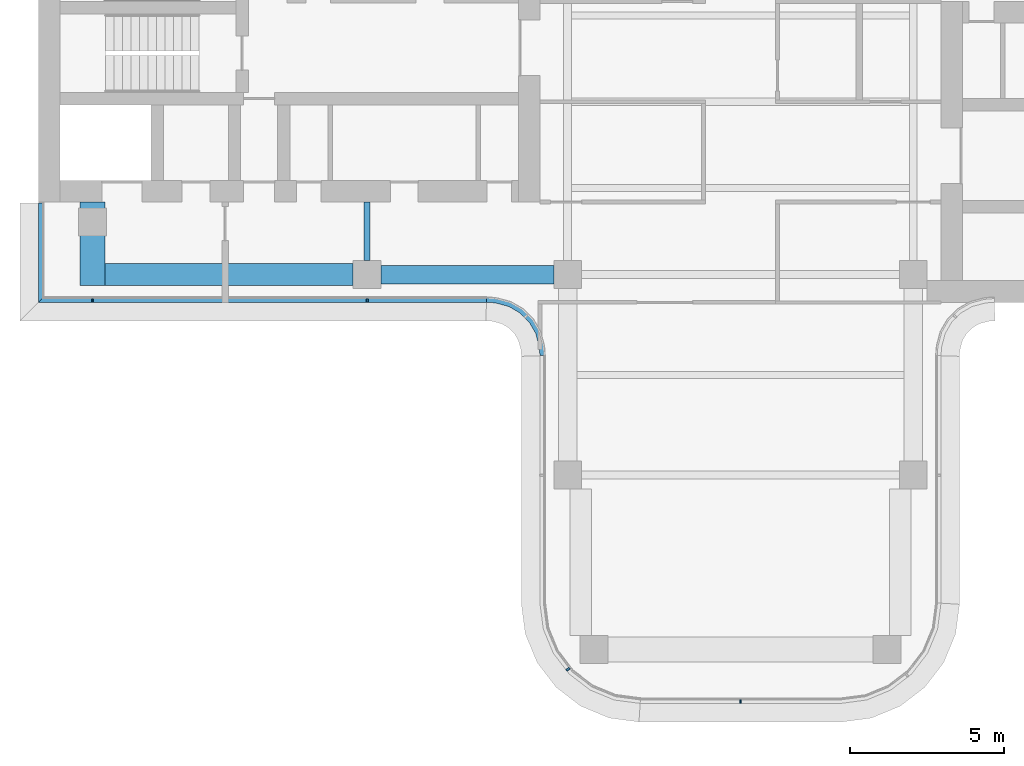
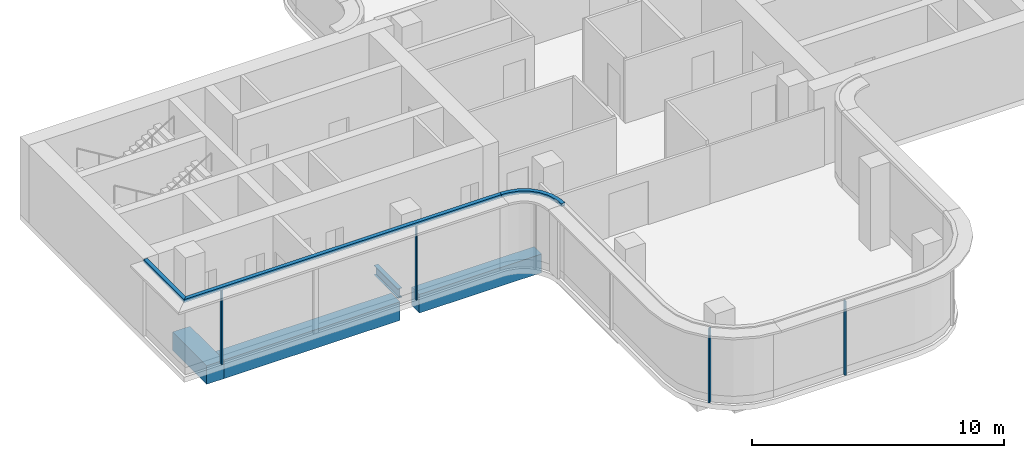
# One storey, part 2 of 11: 7 members, 4 beams, 5 elements without a shape of their own.
"""IFC4 building model written with IfcOpenShell, lengths in metres."""

from ifc_helpers import new_model, si_unit, direction, frame, origin, origin_2d, place, context, subcontext, project, spatial, polyline, rectangle, i_section, outline, extrude, source, transform, mapped, material, layer, layer_set, material_profile, profile_set, type_object, element, aggregate, save


model = new_model("IFC4")

# Units and contexts
model_context = context("Model", 3, precision=1e-05, world=origin(), true_north=direction((0.0, 1.0)))
body_context = subcontext(model_context, "Body", "Model", "MODEL_VIEW")
ifc_project = project(units=[si_unit("LENGTHUNIT", "METRE"), si_unit("AREAUNIT", "SQUARE_METRE"), si_unit("VOLUMEUNIT", "CUBIC_METRE"), si_unit("PLANEANGLEUNIT", "RADIAN"), si_unit("MASSUNIT", "GRAM", prefix="KILO")], contexts=[model_context])

# Site, building, storey
site_placement = place(None, origin())
site = spatial("IfcSite", under=ifc_project, at=site_placement, CompositionType="ELEMENT")
building_placement = place(site_placement, origin())
building = spatial("IfcBuilding", under=site, at=building_placement, Name="Trellis Farm Tower", CompositionType="ELEMENT")
storey_placement = place(building_placement, frame((0.0, 0.0, 342.10009765625)))
storey = spatial("IfcBuildingStorey", under=building, at=storey_placement, Name="L77", CompositionType="ELEMENT", Elevation=342.10009765625)

# Beams
ifc_material_1 = material(Name="Concrete C60/75", Category="concrete")
ifc_material_profile_1 = material_profile(ifc_material_1, rectangle(XDim=0.60009765625, YDim=0.89990234375, at=origin_2d()), Name="RC spandrel beam 600x900 C60/75")
ifc_profile_set_1 = profile_set([ifc_material_profile_1], Name="Concrete C60/75")
beam_type_1 = type_object("IfcBeamType", Name="RC spandrel beam 600x900 C60/75", PredefinedType="SPANDREL", material=ifc_profile_set_1)
shared_shape_1 = source(origin(), body_context, "Body", "SweptSolid", [
    extrude(rectangle(XDim=0.60009765625, YDim=0.89990234375, at=origin_2d()), origin(), (0.0, 0.0, 1.0), 5.599853515625),
])
beam_1_placement = place(storey_placement, frame((-11.64990234375, -5.60009765625, -0.7001953125), z_axis=(1.0, 0.0, 0.0), x_axis=(0.0, 1.0, 0.0)))
element("IfcBeam", 1, at=beam_1_placement, inside=storey, type_object=beam_type_1, Name="Girder", PredefinedType="SPANDREL", context=body_context, shape_type="MappedRepresentation", body=[
    mapped(shared_shape_1, transform((0.0, 0.0, 0.0))),
])
ifc_material_2 = material(Name="Steel S355", Category="steel")
ifc_material_profile_2 = material_profile(ifc_material_2, i_section(OverallWidth=0.1904296875, OverallDepth=0.45703125, WebThickness=0.009033203125, FlangeThickness=0.014404296875, FilletRadius=0.01025390625, at=origin_2d()), Name="UB 457x191x74")
ifc_profile_set_2 = profile_set([ifc_material_profile_2], Name="Steel S355")
beam_type_2 = type_object("IfcBeamType", Name="UB 457x191x74", PredefinedType="BEAM", material=ifc_profile_set_2)
shared_shape_2 = source(origin(), body_context, "Body", "SweptSolid", [
    extrude(i_section(OverallWidth=0.1904296875, OverallDepth=0.45703125, WebThickness=0.009033203125, FlangeThickness=0.014404296875, FilletRadius=0.01025390625, at=origin_2d()), origin(), (0.0, 0.0, 1.0), 1.89990234375),
])
beam_2_placement = place(storey_placement, frame((-12.10009765625, -5.14990234375, -0.478515625), z_axis=(0.0, 1.0, 0.0), x_axis=(-1.0, 0.0, 0.0)))
element("IfcBeam", 2, at=beam_2_placement, inside=storey, type_object=beam_type_2, Name="Girder", PredefinedType="BEAM", context=body_context, shape_type="MappedRepresentation", body=[
    mapped(shared_shape_2, transform((0.0, 0.0, 0.0))),
])
ifc_material_profile_3 = material_profile(ifc_material_1, rectangle(XDim=0.699951171875, YDim=0.89990234375, at=origin_2d()), Name="RC spandrel beam 700x900 C60/75")
ifc_profile_set_3 = profile_set([ifc_material_profile_3], Name="Concrete C60/75")
beam_type_3 = type_object("IfcBeamType", Name="RC spandrel beam 700x900 C60/75", PredefinedType="SPANDREL", material=ifc_profile_set_3)
shared_shape_3 = source(origin(), body_context, "Body", "SweptSolid", [
    extrude(rectangle(XDim=0.699951171875, YDim=0.89990234375, at=origin_2d()), origin(), (0.0, 0.0, 1.0), 8.050048828125),
])
beam_3_placement = place(storey_placement, frame((-20.60009765625, -5.60009765625, -0.7001953125), z_axis=(1.0, 0.0, 0.0), x_axis=(0.0, 1.0, 0.0)))
element("IfcBeam", 3, at=beam_3_placement, inside=storey, type_object=beam_type_3, Name="Girder", PredefinedType="SPANDREL", context=body_context, shape_type="MappedRepresentation", body=[
    mapped(shared_shape_3, transform((0.0, 0.0, 0.0))),
])
ifc_material_profile_4 = material_profile(ifc_material_1, rectangle(XDim=0.800048828125, YDim=0.89990234375, at=origin_2d()), Name="RC spandrel beam 800x900 C60/75")
ifc_profile_set_4 = profile_set([ifc_material_profile_4], Name="Concrete C60/75")
beam_type_4 = type_object("IfcBeamType", Name="RC spandrel beam 800x900 C60/75", PredefinedType="SPANDREL", material=ifc_profile_set_4)
shared_shape_4 = source(origin(), body_context, "Body", "SweptSolid", [
    extrude(rectangle(XDim=0.800048828125, YDim=0.89990234375, at=origin_2d()), origin(), (0.0, 0.0, 1.0), 2.699951171875),
])
beam_4_placement = place(storey_placement, frame((-21.0, -5.949951171875, -0.7001953125), z_axis=(0.0, 1.0, 0.0), x_axis=(-1.0, 0.0, 0.0)))
element("IfcBeam", 4, at=beam_4_placement, inside=storey, type_object=beam_type_4, Name="Girder", PredefinedType="SPANDREL", context=body_context, shape_type="MappedRepresentation", body=[
    mapped(shared_shape_4, transform((0.0, 0.0, 0.0))),
])

# Curtain wall, member
ifc_material_3 = material(Name="Aluminium and glass curtain wall", Category="aluminium")
ifc_layer_1 = layer(ifc_material_3, 0.176025390625)
ifc_layer_set_1 = layer_set([ifc_layer_1], Name="CROWN LANTERN CURTAIN WALL CW5")
curtain_wall_type = type_object("IfcCurtainWallType", Name="CROWN LANTERN CURTAIN WALL CW5", PredefinedType="NOTDEFINED", material=ifc_layer_set_1)
placement_1 = place(storey_placement, origin())
curtain_wall_1 = element("IfcCurtainWall", 5, at=placement_1, inside=storey, type_object=curtain_wall_type, Name="CW5 001", PredefinedType="NOTDEFINED")
ifc_material_4 = material(Name="Aluminium extrusion 6063-T6", Category="aluminium")
ifc_material_profile_5 = material_profile(ifc_material_4, rectangle(XDim=0.06005859375, YDim=0.1201171875, at=origin_2d()), Name="MULLION 60x120")
ifc_profile_set_5 = profile_set([ifc_material_profile_5], Name="Aluminium extrusion 6063-T6")
member_type_1 = type_object("IfcMemberType", Name="CW5 MULLION 60x120", PredefinedType="MULLION", material=ifc_profile_set_5)
shared_shape_5 = source(origin(), body_context, "Body", "SweptSolid", [
    extrude(rectangle(XDim=0.06005859375, YDim=0.1201171875, at=origin_2d()), origin(), (0.0, 0.0, 1.0), 3.599853515625),
])
member_1_placement = place(storey_placement, frame((-5.590087890625, -18.394775390625, 0.0), z_axis=(0.0, 0.0, 1.0), x_axis=(0.608761429009, -0.793353340291, 0.0)))
member_1 = element("IfcMember", 6, at=member_1_placement, type_object=member_type_1, Name="MU5 001-02", PredefinedType="MULLION", context=body_context, shape_type="MappedRepresentation", body=[
    mapped(shared_shape_5, transform((0.0, 0.0, 0.0))),
])
aggregate(curtain_wall_1, [member_1])

curtain_wall_2 = element("IfcCurtainWall", 7, at=placement_1, inside=storey, type_object=curtain_wall_type, Name="CW5 002", PredefinedType="NOTDEFINED")
member_2_placement = place(storey_placement, frame((0.0, -19.43994140625, 0.0), z_axis=(0.0, 0.0, 1.0), x_axis=(1.0, 0.0, 0.0)))
member_2 = element("IfcMember", 8, at=member_2_placement, type_object=member_type_1, Name="MU5 002-01", PredefinedType="MULLION", context=body_context, shape_type="MappedRepresentation", body=[
    mapped(shared_shape_5, transform((0.0, 0.0, 0.0))),
])
aggregate(curtain_wall_2, [member_2])

# Curtain wall, members
curtain_wall_3 = element("IfcCurtainWall", 9, at=placement_1, inside=storey, type_object=curtain_wall_type, Name="CW5 013", PredefinedType="NOTDEFINED")
member_3_placement = place(storey_placement, frame((-21.0, -6.43994140625, 0.0), z_axis=(0.0, 0.0, 1.0), x_axis=(1.0, 0.0, 0.0)))
member_3 = element("IfcMember", 10, at=member_3_placement, type_object=member_type_1, Name="MU5 013-01", PredefinedType="MULLION", context=body_context, shape_type="MappedRepresentation", body=[
    mapped(shared_shape_5, transform((0.0, 0.0, 0.0))),
])
member_4_placement = place(storey_placement, frame((-12.10009765625, -6.43994140625, 0.0), z_axis=(0.0, 0.0, 1.0), x_axis=(1.0, 0.0, 0.0)))
member_4 = element("IfcMember", 11, at=member_4_placement, type_object=member_type_1, Name="MU5 013-02", PredefinedType="MULLION", context=body_context, shape_type="MappedRepresentation", body=[
    mapped(shared_shape_5, transform((0.0, 0.0, 0.0))),
])
ifc_layer_2 = layer(ifc_material_4, 0.176025390625)
ifc_layer_set_2 = layer_set([ifc_layer_2], Name="Aluminium extrusion 6063-T6")
member_type_2 = type_object("IfcMemberType", Name="CW5 TRANSOM 176x150", PredefinedType="USERDEFINED", material=ifc_layer_set_2)
shared_shape_6 = source(origin(), body_context, "Body", "SweptSolid", [
    extrude(outline(polyline([(-22.75, -6.5), (-8.2314453125, -6.5), (-8.2255859375, -6.323974609375), (-22.573974609375, -6.323974609375), (-22.75, -6.5)])), origin(), (0.0, 0.0, 1.0), 0.150146484375),
])
placement_2 = place(storey_placement, frame((0.0, 0.0, 3.599853515625)))
member_5 = element("IfcMember", 12, at=placement_2, type_object=member_type_2, Name="TR5 013", ObjectType="TRANSOM", PredefinedType="USERDEFINED", context=body_context, shape_type="MappedRepresentation", body=[
    mapped(shared_shape_6, transform((0.0, 0.0, 0.0))),
])
aggregate(curtain_wall_3, [member_3, member_4, member_5])

# Curtain wall, member
curtain_wall_4 = element("IfcCurtainWall", 13, at=placement_1, inside=storey, type_object=curtain_wall_type, Name="CW5 014", PredefinedType="NOTDEFINED")
shared_shape_7 = source(origin(), body_context, "Body", "SweptSolid", [
    extrude(outline(polyline([(-8.2314453125, -6.5), (-8.01953125, -6.513916015625), (-7.91552734375, -6.527587890625), (-7.508544921875, -6.63671875), (-7.144287109375, -6.846923828125), (-6.846923828125, -7.144287109375), (-6.63671875, -7.508544921875), (-6.527587890625, -7.91552734375), (-6.513916015625, -8.01953125), (-6.5, -8.2314453125), (-6.323974609375, -8.2255859375), (-6.338623046875, -8.002197265625), (-6.3544921875, -7.881103515625), (-6.47265625, -7.440673828125), (-6.7060546875, -7.0361328125), (-7.0361328125, -6.7060546875), (-7.440673828125, -6.47265625), (-7.881103515625, -6.3544921875), (-8.002197265625, -6.338623046875), (-8.2255859375, -6.323974609375), (-8.2314453125, -6.5)])), origin(), (0.0, 0.0, 1.0), 0.150146484375),
])
member_6 = element("IfcMember", 14, at=placement_2, type_object=member_type_2, Name="TR5 014", ObjectType="TRANSOM", PredefinedType="USERDEFINED", context=body_context, shape_type="MappedRepresentation", body=[
    mapped(shared_shape_7, transform((0.0, 0.0, 0.0))),
])
aggregate(curtain_wall_4, [member_6])

curtain_wall_5 = element("IfcCurtainWall", 15, at=placement_1, inside=storey, type_object=curtain_wall_type, Name="CW5 012", PredefinedType="NOTDEFINED")
shared_shape_8 = source(origin(), body_context, "Body", "SweptSolid", [
    extrude(outline(polyline([(-22.75, -3.280029296875), (-22.75, -6.5), (-22.573974609375, -6.323974609375), (-22.573974609375, -3.280029296875), (-22.75, -3.280029296875)])), origin(), (0.0, 0.0, 1.0), 0.150146484375),
])
member_7 = element("IfcMember", 16, at=placement_2, type_object=member_type_2, Name="TR5 012", ObjectType="TRANSOM", PredefinedType="USERDEFINED", context=body_context, shape_type="MappedRepresentation", body=[
    mapped(shared_shape_8, transform((0.0, 0.0, 0.0))),
])
aggregate(curtain_wall_5, [member_7])

save(model, "model.ifc")
